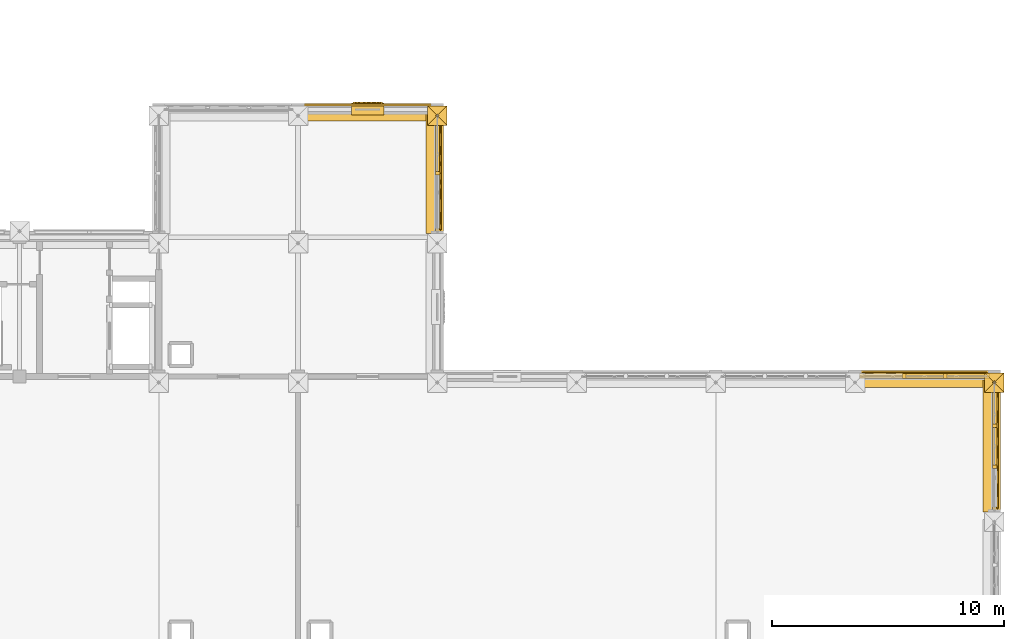
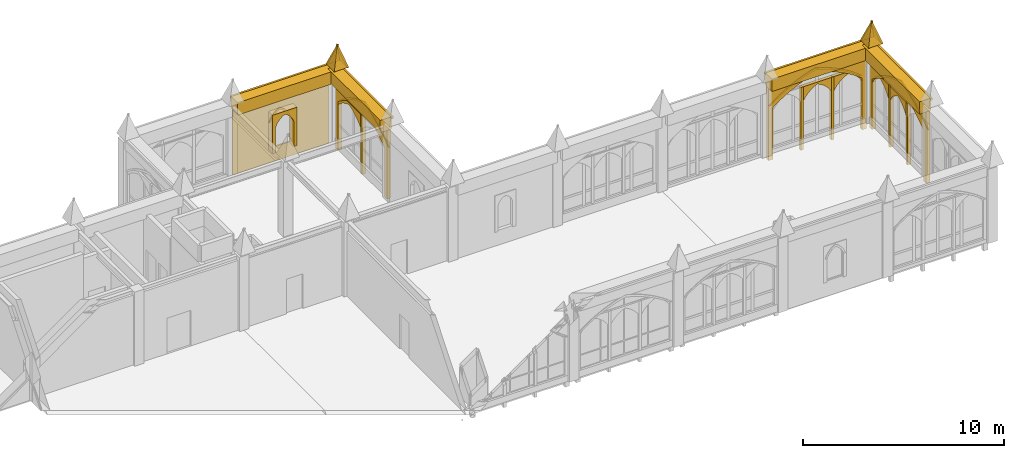
# One storey, part 105 of 108: 35 coverings.
"""IFC4 building model written with IfcOpenShell, lengths in metres."""

from ifc_helpers import new_model, si_unit, direction, frame, origin, origin_2d, place, context, subcontext, project, spatial, polyline, rectangle, outline, extrude, material, type_object, element, save


model = new_model("IFC4")

# Units and contexts
model_context = context("Model", 3, precision=1e-05, world=origin(), true_north=direction((0.0, 1.0)))
body_context = subcontext(model_context, "Body", "Model", "MODEL_VIEW")
ifc_project = project(units=[si_unit("LENGTHUNIT", "METRE"), si_unit("AREAUNIT", "SQUARE_METRE"), si_unit("VOLUMEUNIT", "CUBIC_METRE"), si_unit("PLANEANGLEUNIT", "RADIAN"), si_unit("MASSUNIT", "GRAM", prefix="KILO")], contexts=[model_context])

# Site, building, storey
site_placement = place(None, origin())
site = spatial("IfcSite", under=ifc_project, at=site_placement, CompositionType="ELEMENT")
building_placement = place(site_placement, origin())
building = spatial("IfcBuilding", under=site, at=building_placement, Name="Cumevento Cable Car Station", CompositionType="ELEMENT")
storey_placement = place(building_placement, frame((0.0, 0.0, 13.5)))
storey = spatial("IfcBuildingStorey", under=building, at=storey_placement, Name="L04", CompositionType="ELEMENT", Elevation=13.5)

# Coverings
ifc_material = material(Name="Gnaisse Facoidal Stone Ashlar 85 MPa", Category="masonry")
covering_type = type_object("IfcCoveringType", Name="Gnaisse Ashlar Cladding CV-CL01", PredefinedType="CLADDING", material=ifc_material)
for number, where, z_axis, x_axis, name in (
    (1, (141.580078125, 56.659912109375, 4.8701171875), (0.0, 0.951573760476, 0.30742052367), (1.0, 0.0, 0.0), "Gothic Buttress Pinnacle Spire Facet 1 bt:142.0:56.5"),
    (2, (142.419921875, 56.659912109375, 4.8701171875), (0.951573760476, 0.0, 0.30742052367), (0.0, -1.0, 0.0), "Gothic Buttress Pinnacle Spire Facet 2 bt:142.0:56.5"),
    (3, (142.419921875, 55.820068359375, 4.8701171875), (0.0, -0.951573760476, 0.30742052367), (-1.0, 0.0, 0.0), "Gothic Buttress Pinnacle Spire Facet 3 bt:142.0:56.5"),
    (4, (141.580078125, 55.820068359375, 4.8701171875), (-0.951573760476, 0.0, 0.30742052367), (0.0, 1.0, 0.0), "Gothic Buttress Pinnacle Spire Facet 4 bt:142.0:56.5"),
    (5, (165.580078125, 45.159912109375, 4.8701171875), (0.0, 0.951573760476, 0.30742052367), (1.0, 0.0, 0.0), "Gothic Buttress Pinnacle Spire Facet 1 bt:166.0:45.0"),
    (6, (166.419921875, 45.159912109375, 4.8701171875), (0.951573760476, 0.0, 0.30742052367), (0.0, -1.0, 0.0), "Gothic Buttress Pinnacle Spire Facet 2 bt:166.0:45.0"),
    (7, (166.419921875, 44.320068359375, 4.8701171875), (0.0, -0.951573760476, 0.30742052367), (-1.0, 0.0, 0.0), "Gothic Buttress Pinnacle Spire Facet 3 bt:166.0:45.0"),
    (8, (165.580078125, 44.320068359375, 4.8701171875), (-0.951573760476, 0.0, 0.30742052367), (0.0, 1.0, 0.0), "Gothic Buttress Pinnacle Spire Facet 4 bt:166.0:45.0"),
):
    element("IfcCovering", number, at=place(storey_placement, frame(where, z_axis=z_axis, x_axis=x_axis)), inside=storey, type_object=covering_type, Name=name, PredefinedType="CLADDING", context=body_context, shape_type="SweptSolid", body=[
        extrude(outline(polyline([(0.0, 0.0), (0.83984375, 0.0), (0.419921875, -1.3659526370817139), (0.0, 0.0)])), origin(), (0.0, 0.0, -1.0), 0.0849609375),
    ])
covering_1_placement = place(storey_placement, frame((163.0, 44.85009765625, 4.032958984375), z_axis=(0.0, 0.0, 1.0), x_axis=(1.0, 0.0, 0.0)))
element("IfcCovering", 9, at=covering_1_placement, inside=storey, type_object=covering_type, Name="Gothic Stone Spandrel Stringcourse sc:0768", PredefinedType="CLADDING", context=body_context, shape_type="SweptSolid", body=[
    extrude(rectangle(XDim=5.68994140625, YDim=0.659912109375, at=origin_2d()), origin(), (0.0, 0.0, 1.0), 0.7470703125),
])
covering_2_placement = place(storey_placement, frame((163.0, 45.20751953125, 4.650146484375), z_axis=(0.0, 0.0, 1.0), x_axis=(1.0, 0.0, 0.0)))
element("IfcCovering", 10, at=covering_2_placement, inside=storey, type_object=covering_type, Name="Gothic Cornice Dripstone Lip sc:0768", PredefinedType="CLADDING", context=body_context, shape_type="SweptSolid", body=[
    extrude(rectangle(XDim=5.72998046875, YDim=0.114990234375, at=origin_2d()), origin(), (0.0, 0.0, 1.0), 0.1298828125),
])
covering_3_placement = place(storey_placement, frame((165.85009765625, 42.0, 4.032958984375), z_axis=(0.0, 0.0, 1.0), x_axis=(0.0, -1.0, 0.0)))
element("IfcCovering", 11, at=covering_3_placement, inside=storey, type_object=covering_type, Name="Gothic Stone Spandrel Stringcourse sc:0770", PredefinedType="CLADDING", context=body_context, shape_type="SweptSolid", body=[
    extrude(rectangle(XDim=5.68994140625, YDim=0.659912109375, at=origin_2d()), origin(), (0.0, 0.0, 1.0), 0.7470703125),
])
covering_4_placement = place(storey_placement, frame((166.20751953125, 42.0, 4.650146484375), z_axis=(0.0, 0.0, 1.0), x_axis=(0.0, -1.0, 0.0)))
element("IfcCovering", 12, at=covering_4_placement, inside=storey, type_object=covering_type, Name="Gothic Cornice Dripstone Lip sc:0770", PredefinedType="CLADDING", context=body_context, shape_type="SweptSolid", body=[
    extrude(rectangle(XDim=5.72998046875, YDim=0.114990234375, at=origin_2d()), origin(), (0.0, 0.0, 1.0), 0.1298828125),
])
covering_5_placement = place(storey_placement, frame((139.0, 56.35009765625, 4.032958984375), z_axis=(0.0, 0.0, 1.0), x_axis=(1.0, 0.0, 0.0)))
element("IfcCovering", 13, at=covering_5_placement, inside=storey, type_object=covering_type, Name="Gothic Stone Spandrel Stringcourse sc:0774", PredefinedType="CLADDING", context=body_context, shape_type="SweptSolid", body=[
    extrude(rectangle(XDim=5.68994140625, YDim=0.659912109375, at=origin_2d()), origin(), (0.0, 0.0, 1.0), 0.7470703125),
])
covering_6_placement = place(storey_placement, frame((139.0, 56.70751953125, 4.650146484375), z_axis=(0.0, 0.0, 1.0), x_axis=(1.0, 0.0, 0.0)))
element("IfcCovering", 14, at=covering_6_placement, inside=storey, type_object=covering_type, Name="Gothic Cornice Dripstone Lip sc:0774", PredefinedType="CLADDING", context=body_context, shape_type="SweptSolid", body=[
    extrude(rectangle(XDim=5.72998046875, YDim=0.114990234375, at=origin_2d()), origin(), (0.0, 0.0, 1.0), 0.1298828125),
])
covering_7_placement = place(storey_placement, frame((141.85009765625, 53.75, 4.032958984375), z_axis=(0.0, 0.0, 1.0), x_axis=(0.0, -1.0, 0.0)))
element("IfcCovering", 15, at=covering_7_placement, inside=storey, type_object=covering_type, Name="Gothic Stone Spandrel Stringcourse sc:0777", PredefinedType="CLADDING", context=body_context, shape_type="SweptSolid", body=[
    extrude(rectangle(XDim=5.18994140625, YDim=0.659912109375, at=origin_2d()), origin(), (0.0, 0.0, 1.0), 0.7470703125),
])
covering_8_placement = place(storey_placement, frame((142.20751953125, 53.75, 4.650146484375), z_axis=(0.0, 0.0, 1.0), x_axis=(0.0, -1.0, 0.0)))
element("IfcCovering", 16, at=covering_8_placement, inside=storey, type_object=covering_type, Name="Gothic Cornice Dripstone Lip sc:0777", PredefinedType="CLADDING", context=body_context, shape_type="SweptSolid", body=[
    extrude(rectangle(XDim=5.22998046875, YDim=0.114990234375, at=origin_2d()), origin(), (0.0, 0.0, 1.0), 0.1298828125),
])
placement_1 = place(storey_placement, frame((160.27490234375, 45.0, -0.419921875), z_axis=(0.0, 0.0, 1.0), x_axis=(1.0, 0.0, 0.0)))
element("IfcCovering", 17, at=placement_1, inside=storey, type_object=covering_type, Name="Gothic Ogival Pointed-Arch Stone Spandrel cw_ogival:0186", PredefinedType="CLADDING", context=body_context, shape_type="SweptSolid", body=[
    extrude(outline(polyline([(-0.080078125, 0.0), (-0.080078125, 4.593017578125), (5.530029296875, 4.593017578125), (5.530029296875, 0.0), (5.2900390625, 0.0), (5.2900390625, 3.133056640625), (5.00146484375, 3.34814453125), (4.701904296875, 3.547607421875), (4.392578125, 3.731201171875), (4.07373046875, 3.898193359375), (3.746826171875, 4.04833984375), (3.412353515625, 4.180908203125), (3.071533203125, 4.2958984375), (2.72509765625, 4.39306640625), (2.37841796875, 4.2958984375), (2.03759765625, 4.180908203125), (1.703125, 4.04833984375), (1.376220703125, 3.898193359375), (1.057373046875, 3.731201171875), (0.748046875, 3.547607421875), (0.448486328125, 3.34814453125), (0.159912109375, 3.133056640625), (0.159912109375, 0.0), (-0.080078125, 0.0)])), frame((0.0, 0.139892578125, 0.0), z_axis=(0.0, -1.0, 0.0), x_axis=(1.0, 0.0, 0.0)), (0.0, 0.0, 1.0), 0.219970703125),
])
covering_10_placement = place(storey_placement, frame((160.27490234375, 45.0, 2.713134765625), z_axis=(0.0, 0.0, 1.0), x_axis=(1.0, 0.0, 0.0)))
element("IfcCovering", 18, at=covering_10_placement, inside=storey, type_object=covering_type, Name="Gothic Pointed Archivolt Hood Moulding cw_ogival:0186", PredefinedType="CLADDING", context=body_context, shape_type="SweptSolid", body=[
    extrude(outline(polyline([(0.159912109375, 0.0), (0.448486328125, 0.215087890625), (0.748046875, 0.41455078125), (1.057373046875, 0.59814453125), (1.376220703125, 0.76513671875), (1.703125, 0.915283203125), (2.03759765625, 1.0478515625), (2.37841796875, 1.162841796875), (2.72509765625, 1.260009765625), (3.071533203125, 1.162841796875), (3.412353515625, 1.0478515625), (3.746826171875, 0.915283203125), (4.07373046875, 0.76513671875), (4.392578125, 0.59814453125), (4.701904296875, 0.41455078125), (5.00146484375, 0.215087890625), (5.2900390625, 0.0), (5.39990234375, 0.0), (5.10302734375, 0.23779296875), (4.79345703125, 0.45849609375), (4.47216796875, 0.662109375), (4.14013671875, 0.847412109375), (3.79833984375, 1.01416015625), (3.44775390625, 1.16162109375), (3.089599609375, 1.28955078125), (2.72509765625, 1.3974609375), (2.3603515625, 1.28955078125), (2.002197265625, 1.16162109375), (1.651611328125, 1.01416015625), (1.309814453125, 0.847412109375), (0.977783203125, 0.662109375), (0.656494140625, 0.45849609375), (0.346923828125, 0.23779296875), (0.050048828125, 0.0), (0.159912109375, 0.0)])), frame((0.0, 0.181884765625, 0.0), z_axis=(0.0, -1.0, 0.0), x_axis=(1.0, 0.0, 0.0)), (0.0, 0.0, 1.0), 0.06689453125),
])
element("IfcCovering", 19, at=placement_1, inside=storey, type_object=covering_type, Name="Gothic Bifora Stone Colonnette cw_ogival:0186 #1", PredefinedType="CLADDING", context=body_context, shape_type="SweptSolid", body=[
    extrude(outline(polyline([(1.77001953125, -0.02001953125), (1.919921875, -0.02001953125), (1.919921875, 3.7880859375), (1.77001953125, 3.7880859375), (1.77001953125, -0.02001953125)])), frame((0.0, 0.1279296875, 0.0), z_axis=(0.0, -1.0, 0.0), x_axis=(1.0, 0.0, 0.0)), (0.0, 0.0, 1.0), 0.205078125),
])
element("IfcCovering", 20, at=placement_1, inside=storey, type_object=covering_type, Name="Gothic Bifora Stone Colonnette cw_ogival:0186 #2", PredefinedType="CLADDING", context=body_context, shape_type="SweptSolid", body=[
    extrude(outline(polyline([(3.530029296875, -0.02001953125), (3.679931640625, -0.02001953125), (3.679931640625, 3.7880859375), (3.530029296875, 3.7880859375), (3.530029296875, -0.02001953125)])), frame((0.0, 0.1279296875, 0.0), z_axis=(0.0, -1.0, 0.0), x_axis=(1.0, 0.0, 0.0)), (0.0, 0.0, 1.0), 0.205078125),
])
for number, where, z_axis, x_axis, name in (
    (21, (162.1650390625, 45.0, 2.533203125), (0.0, 0.0, 1.0), (1.0, 0.0, 0.0), "Gothic Ogival Pointed-Arch Stone Spandrel cw_ogival:0186:sub:1"),
    (22, (163.925048828125, 45.0, 2.533203125), (0.0, 0.0, 1.0), (1.0, 0.0, 0.0), "Gothic Ogival Pointed-Arch Stone Spandrel cw_ogival:0186:sub:2"),
):
    element("IfcCovering", number, at=place(storey_placement, frame(where, z_axis=z_axis, x_axis=x_axis)), inside=storey, type_object=covering_type, Name=name, PredefinedType="CLADDING", context=body_context, shape_type="SweptSolid", body=[
        extrude(outline(polyline([(-0.02001953125, 0.0), (-0.02001953125, 0.835205078125), (1.68994140625, 0.835205078125), (1.68994140625, 0.0), (1.6298828125, 0.0), (1.533935546875, 0.154052734375), (1.421142578125, 0.29638671875), (1.293212890625, 0.425048828125), (1.151611328125, 0.538818359375), (0.998291015625, 0.6357421875), (0.8349609375, 0.715087890625), (0.671630859375, 0.6357421875), (0.518310546875, 0.538818359375), (0.376708984375, 0.425048828125), (0.248779296875, 0.29638671875), (0.135986328125, 0.154052734375), (0.0400390625, 0.0), (-0.02001953125, 0.0)])), frame((0.0, 0.1240234375, 0.0), z_axis=(0.0, -1.0, 0.0), x_axis=(1.0, 0.0, 0.0)), (0.0, 0.0, 1.0), 0.199951171875),
    ])
placement_2 = place(storey_placement, frame((166.0, 44.72509765625, -0.320068359375), z_axis=(0.0, 0.0, 1.0), x_axis=(0.0, -1.0, 0.0)))
element("IfcCovering", 23, at=placement_2, inside=storey, type_object=covering_type, Name="Gothic Ogival Pointed-Arch Stone Spandrel cw_ogival:0188", PredefinedType="CLADDING", context=body_context, shape_type="SweptSolid", body=[
    extrude(outline(polyline([(-0.080078125, 0.0), (-0.080078125, 4.492919921875), (5.530029296875, 4.492919921875), (5.530029296875, 0.0), (5.2900390625, 0.0), (5.2900390625, 3.069091796875), (4.999755859375, 3.2783203125), (4.69921875, 3.47216796875), (4.38916015625, 3.650634765625), (4.0703125, 3.812744140625), (3.74365234375, 3.95849609375), (3.409912109375, 4.08740234375), (3.070068359375, 4.198974609375), (2.72509765625, 4.29296875), (2.3798828125, 4.198974609375), (2.0400390625, 4.08740234375), (1.706298828125, 3.95849609375), (1.379638671875, 3.812744140625), (1.060791015625, 3.650634765625), (0.750732421875, 3.47216796875), (0.4501953125, 3.2783203125), (0.159912109375, 3.069091796875), (0.159912109375, 0.0), (-0.080078125, 0.0)])), frame((0.0, 0.139892578125, 0.0), z_axis=(0.0, -1.0, 0.0), x_axis=(1.0, 0.0, 0.0)), (0.0, 0.0, 1.0), 0.219970703125),
])
covering_14_placement = place(storey_placement, frame((166.0, 44.72509765625, 2.7490234375), z_axis=(0.0, 0.0, 1.0), x_axis=(0.0, -1.0, 0.0)))
element("IfcCovering", 24, at=covering_14_placement, inside=storey, type_object=covering_type, Name="Gothic Pointed Archivolt Hood Moulding cw_ogival:0188", PredefinedType="CLADDING", context=body_context, shape_type="SweptSolid", body=[
    extrude(outline(polyline([(0.159912109375, 0.0), (0.4501953125, 0.209228515625), (0.750732421875, 0.403076171875), (1.060791015625, 0.58154296875), (1.379638671875, 0.74365234375), (1.706298828125, 0.889404296875), (2.0400390625, 1.018310546875), (2.3798828125, 1.1298828125), (2.72509765625, 1.223876953125), (3.070068359375, 1.1298828125), (3.409912109375, 1.018310546875), (3.74365234375, 0.889404296875), (4.0703125, 0.74365234375), (4.38916015625, 0.58154296875), (4.69921875, 0.403076171875), (4.999755859375, 0.209228515625), (5.2900390625, 0.0), (5.39990234375, 0.0), (5.101318359375, 0.23193359375), (4.79052734375, 0.447265625), (4.46875, 0.6455078125), (4.136474609375, 0.826171875), (3.794921875, 0.98828125), (3.4453125, 1.132080078125), (3.088134765625, 1.25634765625), (2.72509765625, 1.361328125), (2.36181640625, 1.25634765625), (2.004638671875, 1.132080078125), (1.655029296875, 0.98828125), (1.3134765625, 0.826171875), (0.981201171875, 0.6455078125), (0.659423828125, 0.447265625), (0.3486328125, 0.23193359375), (0.050048828125, 0.0), (0.159912109375, 0.0)])), frame((0.0, 0.181884765625, 0.0), z_axis=(0.0, -1.0, 0.0), x_axis=(1.0, 0.0, 0.0)), (0.0, 0.0, 1.0), 0.06689453125),
])
element("IfcCovering", 25, at=placement_2, inside=storey, type_object=covering_type, Name="Gothic Bifora Stone Colonnette cw_ogival:0188 #1", PredefinedType="CLADDING", context=body_context, shape_type="SweptSolid", body=[
    extrude(outline(polyline([(1.77001953125, -0.02001953125), (1.919921875, -0.02001953125), (1.919921875, 3.70556640625), (1.77001953125, 3.70556640625), (1.77001953125, -0.02001953125)])), frame((0.0, 0.1279296875, 0.0), z_axis=(0.0, -1.0, 0.0), x_axis=(1.0, 0.0, 0.0)), (0.0, 0.0, 1.0), 0.205078125),
])
element("IfcCovering", 26, at=placement_2, inside=storey, type_object=covering_type, Name="Gothic Bifora Stone Colonnette cw_ogival:0188 #2", PredefinedType="CLADDING", context=body_context, shape_type="SweptSolid", body=[
    extrude(outline(polyline([(3.530029296875, -0.02001953125), (3.679931640625, -0.02001953125), (3.679931640625, 3.70556640625), (3.530029296875, 3.70556640625), (3.530029296875, -0.02001953125)])), frame((0.0, 0.1279296875, 0.0), z_axis=(0.0, -1.0, 0.0), x_axis=(1.0, 0.0, 0.0)), (0.0, 0.0, 1.0), 0.205078125),
])
for number, where, z_axis, x_axis, name in (
    (27, (166.0, 44.594970703125, 2.569091796875), (0.0, 0.0, 1.0), (0.0, -1.0, 0.0), "Gothic Ogival Pointed-Arch Stone Spandrel cw_ogival:0188:sub:0"),
    (28, (166.0, 42.8349609375, 2.569091796875), (0.0, 0.0, 1.0), (0.0, -1.0, 0.0), "Gothic Ogival Pointed-Arch Stone Spandrel cw_ogival:0188:sub:1"),
):
    element("IfcCovering", number, at=place(storey_placement, frame(where, z_axis=z_axis, x_axis=x_axis)), inside=storey, type_object=covering_type, Name=name, PredefinedType="CLADDING", context=body_context, shape_type="SweptSolid", body=[
        extrude(outline(polyline([(-0.02001953125, 0.0), (-0.02001953125, 0.81640625), (1.68994140625, 0.81640625), (1.68994140625, 0.0), (1.6298828125, 0.0), (1.5322265625, 0.150390625), (1.418701171875, 0.2890625), (1.29052734375, 0.41455078125), (1.1494140625, 0.525146484375), (0.996826171875, 0.619384765625), (0.8349609375, 0.6962890625), (0.673095703125, 0.619384765625), (0.5205078125, 0.525146484375), (0.37939453125, 0.41455078125), (0.251220703125, 0.2890625), (0.1376953125, 0.150390625), (0.0400390625, 0.0), (-0.02001953125, 0.0)])), frame((0.0, 0.1240234375, 0.0), z_axis=(0.0, -1.0, 0.0), x_axis=(1.0, 0.0, 0.0)), (0.0, 0.0, 1.0), 0.199951171875),
    ])
placement_3 = place(storey_placement, frame((142.0, 56.22509765625, -0.159912109375), z_axis=(0.0, 0.0, 1.0), x_axis=(0.0, -1.0, 0.0)))
element("IfcCovering", 29, at=placement_3, inside=storey, type_object=covering_type, Name="Gothic Ogival Pointed-Arch Stone Spandrel cw_ogival:0191", PredefinedType="CLADDING", context=body_context, shape_type="SweptSolid", body=[
    extrude(outline(polyline([(-0.080078125, 0.0), (-0.080078125, 4.3330078125), (5.030029296875, 4.3330078125), (5.030029296875, 0.0), (4.7900390625, 0.0), (4.7900390625, 2.966796875), (4.531005859375, 3.165283203125), (4.26171875, 3.35009765625), (3.98291015625, 3.52001953125), (3.6953125, 3.674560546875), (3.39990234375, 3.813720703125), (3.097412109375, 3.936767578125), (2.788818359375, 4.043212890625), (2.47509765625, 4.133056640625), (2.1611328125, 4.043212890625), (1.8525390625, 3.936767578125), (1.550048828125, 3.813720703125), (1.254638671875, 3.674560546875), (0.967041015625, 3.52001953125), (0.688232421875, 3.35009765625), (0.4189453125, 3.165283203125), (0.159912109375, 2.966796875), (0.159912109375, 0.0), (-0.080078125, 0.0)])), frame((0.0, 0.139892578125, 0.0), z_axis=(0.0, -1.0, 0.0), x_axis=(1.0, 0.0, 0.0)), (0.0, 0.0, 1.0), 0.219970703125),
])
covering_18_placement = place(storey_placement, frame((142.0, 56.22509765625, 2.806640625), z_axis=(0.0, 0.0, 1.0), x_axis=(0.0, -1.0, 0.0)))
element("IfcCovering", 30, at=covering_18_placement, inside=storey, type_object=covering_type, Name="Gothic Pointed Archivolt Hood Moulding cw_ogival:0191", PredefinedType="CLADDING", context=body_context, shape_type="SweptSolid", body=[
    extrude(outline(polyline([(0.159912109375, 0.0), (0.4189453125, 0.19873046875), (0.688232421875, 0.38330078125), (0.967041015625, 0.55322265625), (1.254638671875, 0.707763671875), (1.550048828125, 0.846923828125), (1.8525390625, 0.969970703125), (2.1611328125, 1.076416015625), (2.47509765625, 1.166259765625), (2.788818359375, 1.076416015625), (3.097412109375, 0.969970703125), (3.39990234375, 0.846923828125), (3.6953125, 0.707763671875), (3.98291015625, 0.55322265625), (4.26171875, 0.38330078125), (4.531005859375, 0.19873046875), (4.7900390625, 0.0), (4.89990234375, 0.0), (4.632568359375, 0.221435546875), (4.353271484375, 0.42724609375), (4.062744140625, 0.6171875), (3.76171875, 0.7900390625), (3.451416015625, 0.94580078125), (3.1328125, 1.08349609375), (2.80712890625, 1.202880859375), (2.47509765625, 1.3037109375), (2.142822265625, 1.202880859375), (1.817138671875, 1.08349609375), (1.49853515625, 0.94580078125), (1.188232421875, 0.7900390625), (0.88720703125, 0.6171875), (0.5966796875, 0.42724609375), (0.3173828125, 0.221435546875), (0.050048828125, 0.0), (0.159912109375, 0.0)])), frame((0.0, 0.181884765625, 0.0), z_axis=(0.0, -1.0, 0.0), x_axis=(1.0, 0.0, 0.0)), (0.0, 0.0, 1.0), 0.06689453125),
])
element("IfcCovering", 31, at=placement_3, inside=storey, type_object=covering_type, Name="Gothic Bifora Stone Colonnette cw_ogival:0191 #1", PredefinedType="CLADDING", context=body_context, shape_type="SweptSolid", body=[
    extrude(outline(polyline([(2.39990234375, -0.02001953125), (2.550048828125, -0.02001953125), (2.550048828125, 3.5732421875), (2.39990234375, 3.5732421875), (2.39990234375, -0.02001953125)])), frame((0.0, 0.1279296875, 0.0), z_axis=(0.0, -1.0, 0.0), x_axis=(1.0, 0.0, 0.0)), (0.0, 0.0, 1.0), 0.205078125),
])
covering_20_placement = place(storey_placement, frame((142.0, 56.094970703125, 2.626708984375), z_axis=(0.0, 0.0, 1.0), x_axis=(0.0, -1.0, 0.0)))
element("IfcCovering", 32, at=covering_20_placement, inside=storey, type_object=covering_type, Name="Gothic Ogival Pointed-Arch Stone Spandrel cw_ogival:0191:sub:0", PredefinedType="CLADDING", context=body_context, shape_type="SweptSolid", body=[
    extrude(outline(polyline([(-0.02001953125, 0.0), (-0.02001953125, 0.78662109375), (2.320068359375, 0.78662109375), (2.320068359375, 0.0), (2.260009765625, 0.0), (2.100341796875, 0.148193359375), (1.9287109375, 0.28271484375), (1.746826171875, 0.402587890625), (1.555419921875, 0.507080078125), (1.35595703125, 0.59521484375), (1.14990234375, 0.66650390625), (0.944091796875, 0.59521484375), (0.74462890625, 0.507080078125), (0.55322265625, 0.402587890625), (0.371337890625, 0.28271484375), (0.19970703125, 0.148193359375), (0.0400390625, 0.0), (-0.02001953125, 0.0)])), frame((0.0, 0.1240234375, 0.0), z_axis=(0.0, -1.0, 0.0), x_axis=(1.0, 0.0, 0.0)), (0.0, 0.0, 1.0), 0.199951171875),
])
covering_21_placement = place(storey_placement, frame((136.27490234375, 56.5, 0.0), z_axis=(0.0, 0.0, 1.0), x_axis=(1.0, 0.0, 0.0)))
element("IfcCovering", 33, at=covering_21_placement, inside=storey, type_object=covering_type, Name="Exterior Gnaisse Stone Wall Ashlar #293", PredefinedType="CLADDING", context=body_context, shape_type="SweptSolid", body=[
    extrude(outline(polyline([(-0.0400390625, -0.02001953125), (5.489990234375, -0.02001953125), (5.489990234375, 4.113037109375), (-0.0400390625, 4.113037109375), (-0.0400390625, -0.02001953125)]), holes=[polyline([(2.2099609375, 0.860107421875), (3.239990234375, 0.860107421875), (3.239990234375, 2.889892578125), (2.2099609375, 2.889892578125), (2.2099609375, 0.860107421875)])]), frame((0.0, 0.2451171875, 0.0), z_axis=(0.0, -1.0, 0.0), x_axis=(1.0, 0.0, 0.0)), (0.0, 0.0, 1.0), 0.0849609375),
])
covering_22_placement = place(storey_placement, frame((138.3349609375, 56.5, 0.800048828125), z_axis=(0.0, 0.0, 1.0), x_axis=(1.0, 0.0, 0.0)))
element("IfcCovering", 34, at=covering_22_placement, inside=storey, type_object=covering_type, Name="Gothic Ogival Pointed-Arch Stone Spandrel op_ogival:0293:1", PredefinedType="CLADDING", context=body_context, shape_type="SweptSolid", body=[
    extrude(outline(polyline([(-0.0400390625, 0.0), (-0.0400390625, 2.320068359375), (1.3701171875, 2.320068359375), (1.3701171875, 0.0), (1.18994140625, 0.0), (1.18994140625, 1.52587890625), (1.1474609375, 1.63671875), (1.0927734375, 1.74169921875), (1.026611328125, 1.839599609375), (0.94970703125, 1.9296875), (0.863037109375, 2.010498046875), (0.767578125, 2.080810546875), (0.6650390625, 2.139892578125), (0.5625, 2.080810546875), (0.467041015625, 2.010498046875), (0.38037109375, 1.9296875), (0.303466796875, 1.839599609375), (0.2373046875, 1.74169921875), (0.1826171875, 1.63671875), (0.139892578125, 1.52587890625), (0.139892578125, 0.0), (-0.0400390625, 0.0)])), frame((0.0, 0.282958984375, 0.0), z_axis=(0.0, -1.0, 0.0), x_axis=(1.0, 0.0, 0.0)), (0.0, 0.0, 1.0), 0.52001953125),
])
covering_23_placement = place(storey_placement, frame((138.3349609375, 56.5, 2.325927734375), z_axis=(0.0, 0.0, 1.0), x_axis=(1.0, 0.0, 0.0)))
element("IfcCovering", 35, at=covering_23_placement, inside=storey, type_object=covering_type, Name="Gothic Pointed Archivolt Hood Moulding op_ogival:0293:1", PredefinedType="CLADDING", context=body_context, shape_type="SweptSolid", body=[
    extrude(outline(polyline([(0.139892578125, 0.0), (0.1826171875, 0.110595703125), (0.2373046875, 0.215576171875), (0.303466796875, 0.313720703125), (0.38037109375, 0.40380859375), (0.467041015625, 0.484375), (0.5625, 0.554931640625), (0.6650390625, 0.614013671875), (0.767578125, 0.554931640625), (0.863037109375, 0.484375), (0.94970703125, 0.40380859375), (1.026611328125, 0.313720703125), (1.0927734375, 0.215576171875), (1.1474609375, 0.110595703125), (1.18994140625, 0.0), (1.2890625, 0.0), (1.2392578125, 0.132568359375), (1.174560546875, 0.2587890625), (1.095947265625, 0.376708984375), (1.00439453125, 0.48486328125), (0.901123046875, 0.58203125), (0.78759765625, 0.66650390625), (0.6650390625, 0.73779296875), (0.54248046875, 0.66650390625), (0.428955078125, 0.58203125), (0.32568359375, 0.48486328125), (0.234130859375, 0.376708984375), (0.155517578125, 0.2587890625), (0.0908203125, 0.132568359375), (0.041015625, 0.0), (0.139892578125, 0.0)])), frame((0.0, 0.324951171875, 0.0), z_axis=(0.0, -1.0, 0.0), x_axis=(1.0, 0.0, 0.0)), (0.0, 0.0, 1.0), 0.06689453125),
])

save(model, "model.ifc")
